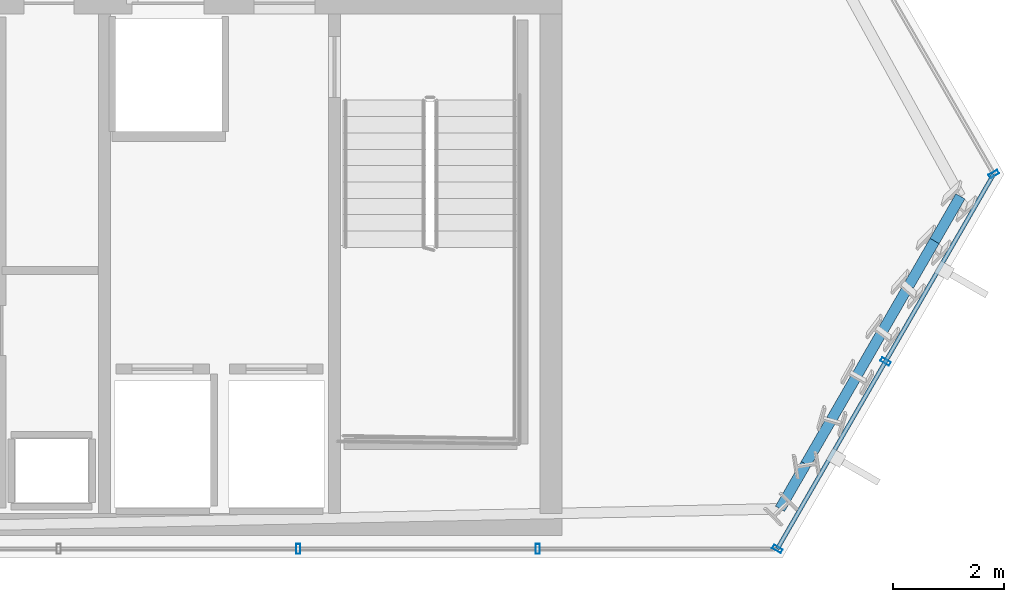
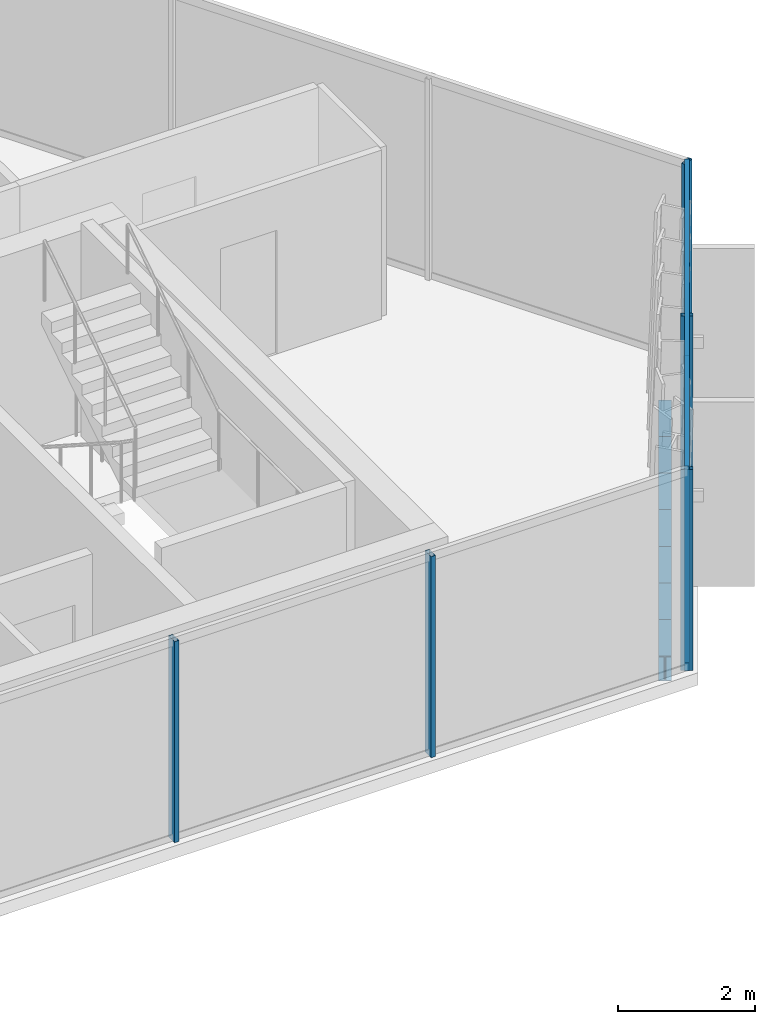
# One storey, part 14 of 30: 7 beams, 7 members, 3 elements without a shape of their own.
"""IFC4 building model written with IfcOpenShell, lengths in metres."""

import ifcopenshell
import ifcopenshell.guid

model = None  # the IFC model being written
_history = None  # IfcOwnerHistory: only IFC2X3 demands one
_inside = {}  # id of a spatial element -> (the spatial element, [elements in it])
_under = {}  # id of a project, library or spatial element -> (it, [spatial elements below it])
_declared = {}  # id of a project -> (the project, [libraries it declares])
_typed = {}  # id of a type object -> (the type object, [elements of that type])
_made_of = {}  # id of a material, layer set ... -> (it, [elements and type objects made of it])


def new_model(schema):
    """Start an empty IFC model of exactly this schema.

    Asked for "IFC4X3", IfcOpenShell would pick the latest addendum, in which some entities
    have other attributes; the version numbers below select the first issue.
    IFC2X3 requires an IfcOwnerHistory on every rooted entity: one is made here for all.
    """
    global model, _history
    if schema == "IFC4X3":
        model = ifcopenshell.file(schema_version=(4, 3, 0, 0))
    else:
        model = ifcopenshell.file(schema=schema)
    _inside.clear()
    _under.clear()
    _declared.clear()
    _typed.clear()
    _made_of.clear()
    _history = None
    if model.schema == "IFC2X3":
        org = make("IfcOrganization", Name="unknown")
        user = make(
            "IfcPersonAndOrganization",
            ThePerson=make("IfcPerson", FamilyName="unknown"),
            TheOrganization=org,
        )
        app = make(
            "IfcApplication",
            ApplicationDeveloper=org,
            Version="unknown",
            ApplicationFullName="unknown",
            ApplicationIdentifier="unknown",
        )
        _history = make(
            "IfcOwnerHistory",
            OwningUser=user,
            OwningApplication=app,
            ChangeAction="ADDED",
            CreationDate=0,
        )
    return model


def make(cls, **values):
    """One entity of the class cls with the attributes given. An attribute that is None is left unset."""
    return model.create_entity(
        cls, **{name: value for name, value in values.items() if value is not None}
    )


def rooted(cls, **values):
    """An entity with a GlobalId (a new one), such as an element, a storey or a relation."""
    return make(cls, GlobalId=ifcopenshell.guid.new(), OwnerHistory=_history, **values)


def si_unit(unit_type, name, prefix=None):
    """IfcSIUnit, for example si_unit("LENGTHUNIT", "METRE", prefix="MILLI")."""
    return make("IfcSIUnit", UnitType=unit_type, Prefix=prefix, Name=name)


def assignment(units):
    """IfcUnitAssignment: the units of a project."""
    return None if units is None else make("IfcUnitAssignment", Units=units)


def point(xyz):
    """IfcCartesianPoint."""
    return None if xyz is None else make("IfcCartesianPoint", Coordinates=xyz)


def direction(xyz):
    """IfcDirection."""
    return None if xyz is None else make("IfcDirection", DirectionRatios=xyz)


def frame(location, z_axis=None, x_axis=None):
    """IfcAxis2Placement3D, a coordinate frame: its origin and axes. An axis left out is left unset."""
    return make(
        "IfcAxis2Placement3D",
        Location=point(location),
        Axis=direction(z_axis),
        RefDirection=direction(x_axis),
    )


def frame_2d(location, x_axis=None):
    """IfcAxis2Placement2D, a coordinate frame in the plane: its origin and x axis."""
    return make(
        "IfcAxis2Placement2D", Location=point(location), RefDirection=direction(x_axis)
    )


def origin():
    """The frame at (0, 0, 0) with its axes left unset."""
    return frame((0.0, 0.0, 0.0))


def origin_2d():
    """The frame at (0, 0) in the plane with its x axis left unset."""
    return frame_2d((0.0, 0.0))


def place(relative_to, where):
    """IfcLocalPlacement: puts the frame where relative to a parent placement (None: the world)."""
    return make(
        "IfcLocalPlacement", PlacementRelTo=relative_to, RelativePlacement=where
    )


def context(
    kind, dimensions, precision=None, world=None, true_north=None, identifier=None
):
    """IfcGeometricRepresentationContext, for example the 3D "Model" context."""
    return make(
        "IfcGeometricRepresentationContext",
        ContextIdentifier=identifier,
        ContextType=kind,
        CoordinateSpaceDimension=dimensions,
        Precision=precision,
        WorldCoordinateSystem=world,
        TrueNorth=true_north,
    )


def subcontext(parent, identifier, kind, view, scale=None):
    """IfcGeometricRepresentationSubContext, for example "Body" below "Model"."""
    return make(
        "IfcGeometricRepresentationSubContext",
        ContextIdentifier=identifier,
        ContextType=kind,
        ParentContext=parent,
        TargetScale=scale,
        TargetView=view,
    )


def project(units=None, contexts=None):
    """IfcProject with its units and contexts."""
    return rooted(
        "IfcProject",
        Name="project",
        RepresentationContexts=contexts,
        UnitsInContext=assignment(units),
    )


def spatial(cls, under=None, at=None, **own):
    """A site, building, storey or space (cls), placed at a placement, below another one or the project."""
    s = rooted(cls, ObjectPlacement=at, **own)
    if under is not None:
        _under.setdefault(under.id(), (under, []))[1].append(s)
    return s


def profile(cls, at=None, kind="AREA", **sizes):
    """A parametric profile (cls). Its sizes go by their IFC names, for example OverallWidth=200.0."""
    return make(cls, ProfileType=kind, Position=at, **sizes)


def hollow_rectangle(**sizes):
    """IfcRectangleHollowProfileDef."""
    return profile("IfcRectangleHollowProfileDef", **sizes)


def i_section(**sizes):
    """IfcIShapeProfileDef."""
    return profile("IfcIShapeProfileDef", **sizes)


def extrude(swept, where, along, depth):
    """IfcExtrudedAreaSolid: the profile swept, set in the frame where, extruded along a direction by depth."""
    return make(
        "IfcExtrudedAreaSolid",
        SweptArea=swept,
        Position=where,
        ExtrudedDirection=direction(along),
        Depth=depth,
    )


def shape(context_of_items, identifier, shape_type, items):
    """IfcShapeRepresentation: the items that make up one representation, for example the "Body"."""
    return make(
        "IfcShapeRepresentation",
        ContextOfItems=context_of_items,
        RepresentationIdentifier=identifier,
        RepresentationType=shape_type,
        Items=items,
    )


def material(Name=None, Category=None):
    """IfcMaterial."""
    return make("IfcMaterial", Name=Name, Category=Category)


def layer(
    of_material, thickness, ventilated=None, Name=None, Category=None, Priority=None
):
    """IfcMaterialLayer: one layer of a wall or slab, of a material (None: an air gap)."""
    return make(
        "IfcMaterialLayer",
        Material=of_material,
        LayerThickness=thickness,
        IsVentilated=ventilated,
        Name=Name,
        Category=Category,
        Priority=Priority,
    )


def layer_set(layers, Name=None):
    """IfcMaterialLayerSet."""
    return make("IfcMaterialLayerSet", MaterialLayers=layers, LayerSetName=Name)


def material_profile(
    of_material, cross_section, Name=None, Category=None, Priority=None
):
    """IfcMaterialProfile: a cross section and its material."""
    return make(
        "IfcMaterialProfile",
        Name=Name,
        Material=of_material,
        Profile=cross_section,
        Priority=Priority,
        Category=Category,
    )


def profile_set(profiles, Name=None, composite=None):
    """IfcMaterialProfileSet."""
    return make(
        "IfcMaterialProfileSet",
        Name=Name,
        MaterialProfiles=profiles,
        CompositeProfile=composite,
    )


def made_of(thing, what):
    """Note that an element or type object is made of a material, layer set ...; save() writes the relation."""
    if what is not None:
        _made_of.setdefault(what.id(), (what, []))[1].append(thing)
    return thing


def type_object(cls, material=None, **own):
    """A type object (cls), such as IfcWallType, which elements share."""
    return made_of(rooted(cls, **own), material)


def element(
    cls,
    number,
    at=None,
    inside=None,
    cuts=None,
    type_object=None,
    material=None,
    context=None,
    identifier="Body",
    shape_type=None,
    held_by="IfcProductDefinitionShape",
    body=None,
    shapes=None,
    **own,
):
    """One element of the class cls, such as IfcWall. Its Tag is "e" and its number.

    at: its placement. inside: the storey or other place that contains it. cuts: it is an
    opening in that element (IfcRelVoidsElement). A single representation is given by context,
    identifier, shape_type and body (its items); several are given by shapes. held_by: the class
    of the entity that holds the representations. save() writes the other relations.
    """
    e = rooted(cls, Tag="e%d" % number, ObjectPlacement=at, **own)
    if body is not None:
        shapes = [shape(context, identifier, shape_type, body)]
    if shapes is not None:
        e.Representation = make(held_by, Representations=shapes)
    if inside is not None:
        _inside.setdefault(inside.id(), (inside, []))[1].append(e)
    if cuts is not None:
        rooted(
            "IfcRelVoidsElement", RelatingBuildingElement=cuts, RelatedOpeningElement=e
        )
    if type_object is not None:
        _typed.setdefault(type_object.id(), (type_object, []))[1].append(e)
    return made_of(e, material)


def aggregate(whole, parts):
    """IfcRelAggregates: a whole, such as a stair, and the parts it consists of."""
    return rooted("IfcRelAggregates", RelatingObject=whole, RelatedObjects=parts)


def save(model, path):
    """Write the relations noted so far, then the file.

    IfcRelAggregates (storeys below a building ...), IfcRelContainedInSpatialStructure (elements
    in a storey), IfcRelDefinesByType, IfcRelAssociatesMaterial and IfcRelDeclares: one each for
    every whole, place, type object, material and project.
    """
    for whole, parts in _under.values():
        aggregate(whole, parts)
    for where, things in _inside.values():
        rooted(
            "IfcRelContainedInSpatialStructure",
            RelatedElements=things,
            RelatingStructure=where,
        )
    for kind, things in _typed.values():
        rooted("IfcRelDefinesByType", RelatedObjects=things, RelatingType=kind)
    for what, things in _made_of.values():
        rooted("IfcRelAssociatesMaterial", RelatedObjects=things, RelatingMaterial=what)
    for by, libraries in _declared.values():
        rooted("IfcRelDeclares", RelatingContext=by, RelatedDefinitions=libraries)
    model.write(path)


model = new_model("IFC4")

# Units and contexts
model_context = context("Model", 3, precision=1e-05, world=origin(), true_north=direction((0.0, 1.0)))
body_context = subcontext(model_context, "Body", "Model", "MODEL_VIEW")
ifc_project = project(units=[si_unit("LENGTHUNIT", "METRE"), si_unit("AREAUNIT", "SQUARE_METRE"), si_unit("VOLUMEUNIT", "CUBIC_METRE"), si_unit("PLANEANGLEUNIT", "RADIAN"), si_unit("MASSUNIT", "GRAM", prefix="KILO")], contexts=[model_context])

# Site, building, storey
site_placement = place(None, origin())
site = spatial("IfcSite", under=ifc_project, at=site_placement, CompositionType="ELEMENT")
building_placement = place(site_placement, origin())
building = spatial("IfcBuilding", under=site, at=building_placement, Name="Ndaravel Arena Tower", CompositionType="ELEMENT")
storey_placement = place(building_placement, frame((0.0, 0.0, 225.60009765625)))
storey = spatial("IfcBuildingStorey", under=building, at=storey_placement, Name="L54", CompositionType="ELEMENT", Elevation=225.60009765625)

# Beams
ifc_material_1 = material(Name="Steel S355", Category="steel")
ifc_material_profile_1 = material_profile(ifc_material_1, i_section(OverallWidth=0.18994140625, OverallDepth=0.449951171875, WebThickness=0.009521484375, FlangeThickness=0.0146484375, FilletRadius=0.02099609375, at=origin_2d()), Name="IPE 450")
ifc_profile_set_1 = profile_set([ifc_material_profile_1], Name="Steel S355")
beam_type = type_object("IfcBeamType", Name="BM-SPAN-IPE450", PredefinedType="SPANDREL", material=ifc_profile_set_1)
beam_1_placement = place(storey_placement, frame((61.48095703125, 5.88232421875, -0.445068359375), z_axis=(0.499896791762, 0.866084982889, 0.0), x_axis=(-0.866084982889, 0.499896791762, 0.0)))
element("IfcBeam", 1, at=beam_1_placement, inside=storey, type_object=beam_type, Name="L54 Perimeter Spandrel Beam SP-02", PredefinedType="SPANDREL", context=body_context, shape_type="SweptSolid", body=[
    extrude(i_section(OverallWidth=0.18994140625, OverallDepth=0.449951171875, WebThickness=0.009521484375, FlangeThickness=0.0146484375, FilletRadius=0.02099609375, at=origin_2d()), origin(), (0.0, 0.0, 1.0), 0.929443359375),
])
for number, where, z_axis, x_axis, name in (
    (2, (61.945556640625, 6.687255859375, -0.445068359375), (0.500010545262, 0.866019315389, 0.0), (-0.866019315389, 0.500010545262, 0.0), "L54 Perimeter Spandrel Beam SP-03"),
    (3, (62.41015625, 7.491943359375, -0.445068359375), (0.500010545262, 0.866019315389, 0.0), (-0.866019315389, 0.500010545262, 0.0), "L54 Perimeter Spandrel Beam SP-04"),
):
    element("IfcBeam", number, at=place(storey_placement, frame(where, z_axis=z_axis, x_axis=x_axis)), inside=storey, type_object=beam_type, Name=name, PredefinedType="SPANDREL", context=body_context, shape_type="SweptSolid", body=[
        extrude(i_section(OverallWidth=0.18994140625, OverallDepth=0.449951171875, WebThickness=0.009521484375, FlangeThickness=0.0146484375, FilletRadius=0.02099609375, at=origin_2d()), origin(), (0.0, 0.0, 1.0), 0.92919921875),
    ])
beam_2_placement = place(storey_placement, frame((62.874755859375, 8.296630859375, -0.445068359375), z_axis=(0.499896791762, 0.866084982889, 0.0), x_axis=(-0.866084982889, 0.499896791762, 0.0)))
element("IfcBeam", 4, at=beam_2_placement, inside=storey, type_object=beam_type, Name="L54 Perimeter Spandrel Beam SP-05", PredefinedType="SPANDREL", context=body_context, shape_type="SweptSolid", body=[
    extrude(i_section(OverallWidth=0.18994140625, OverallDepth=0.449951171875, WebThickness=0.009521484375, FlangeThickness=0.0146484375, FilletRadius=0.02099609375, at=origin_2d()), origin(), (0.0, 0.0, 1.0), 0.929443359375),
])
for number, where, z_axis, x_axis, name in (
    (5, (63.33935546875, 9.1015625, -0.445068359375), (0.500010545262, 0.866019315389, 0.0), (-0.866019315389, 0.500010545262, 0.0), "L54 Perimeter Spandrel Beam SP-06"),
    (6, (63.803955078125, 9.90625, -0.445068359375), (0.500207565094, 0.865905532852, 0.0), (-0.865905532852, 0.500207565094, 0.0), "L54 Perimeter Spandrel Beam SP-07"),
):
    element("IfcBeam", number, at=place(storey_placement, frame(where, z_axis=z_axis, x_axis=x_axis)), inside=storey, type_object=beam_type, Name=name, PredefinedType="SPANDREL", context=body_context, shape_type="SweptSolid", body=[
        extrude(i_section(OverallWidth=0.18994140625, OverallDepth=0.449951171875, WebThickness=0.009521484375, FlangeThickness=0.0146484375, FilletRadius=0.02099609375, at=origin_2d()), origin(), (0.0, 0.0, 1.0), 0.92919921875),
    ])
beam_3_placement = place(storey_placement, frame((64.268798828125, 10.7109375, -0.445068359375), z_axis=(0.499896791762, 0.866084982889, 0.0), x_axis=(-0.866084982889, 0.499896791762, 0.0)))
element("IfcBeam", 7, at=beam_3_placement, inside=storey, type_object=beam_type, Name="L54 Perimeter Spandrel Beam SP-08", PredefinedType="SPANDREL", context=body_context, shape_type="SweptSolid", body=[
    extrude(i_section(OverallWidth=0.18994140625, OverallDepth=0.449951171875, WebThickness=0.009521484375, FlangeThickness=0.0146484375, FilletRadius=0.02099609375, at=origin_2d()), origin(), (0.0, 0.0, 1.0), 0.929443359375),
])

# Curtain wall, members
ifc_material_2 = material(Name="Aluminium", Category="aluminium")
ifc_layer_1 = layer(ifc_material_2, 0.179931640625)
ifc_layer_set_1 = layer_set([ifc_layer_1], Name="Aluminium")
curtain_wall_type_1 = type_object("IfcCurtainWallType", Name="CW-SYS-03", PredefinedType="NOTDEFINED", material=ifc_layer_set_1)
curtain_wall_1_placement = place(storey_placement, origin())
curtain_wall_1 = element("IfcCurtainWall", 8, at=curtain_wall_1_placement, inside=storey, type_object=curtain_wall_type_1, Name="L54 Faceted Crystal Curtain Wall CW-L54-E01", PredefinedType="NOTDEFINED")
ifc_material_3 = material(Name="Aluminium", Category="aluminium")
ifc_material_profile_2 = material_profile(ifc_material_3, hollow_rectangle(XDim=0.074951171875, YDim=0.179931640625, WallThickness=0.00390625, at=origin_2d()), Name="CW MULLION 75x180x4")
ifc_profile_set_2 = profile_set([ifc_material_profile_2], Name="Aluminium")
member_type_1 = type_object("IfcMemberType", Name="MEM-CW-MUL180", PredefinedType="MULLION", material=ifc_profile_set_2)
member_1_placement = place(storey_placement, frame((52.79638671875, 5.159912109375, 0.0), z_axis=(0.0, 0.0, 1.0), x_axis=(1.0, 0.0, 0.0)))
member_1 = element("IfcMember", 9, at=member_1_placement, type_object=member_type_1, Name="CW-L54-E01 Mullion 07", PredefinedType="MULLION", context=body_context, shape_type="SweptSolid", body=[
    extrude(hollow_rectangle(XDim=0.074951171875, YDim=0.179931640625, WallThickness=0.00390625, at=origin_2d()), origin(), (0.0, 0.0, 1.0), 3.579833984375),
])
member_2_placement = place(storey_placement, frame((57.11474609375, 5.159912109375, 0.0), z_axis=(0.0, 0.0, 1.0), x_axis=(1.0, 0.0, 0.0)))
member_2 = element("IfcMember", 10, at=member_2_placement, type_object=member_type_1, Name="CW-L54-E01 Mullion 08", PredefinedType="MULLION", context=body_context, shape_type="SweptSolid", body=[
    extrude(hollow_rectangle(XDim=0.074951171875, YDim=0.179931640625, WallThickness=0.00390625, at=origin_2d()), origin(), (0.0, 0.0, 1.0), 3.579833984375),
])
aggregate(curtain_wall_1, [member_1, member_2])

ifc_material_4 = material(Name="Aluminium", Category="aluminium")
ifc_layer_2 = layer(ifc_material_4, 0.179931640625)
ifc_layer_set_2 = layer_set([ifc_layer_2], Name="Aluminium")
curtain_wall_type_2 = type_object("IfcCurtainWallType", Name="CW-SYS-01", PredefinedType="NOTDEFINED", material=ifc_layer_set_2)
curtain_wall_2_placement = place(storey_placement, origin())
curtain_wall_2 = element("IfcCurtainWall", 11, at=curtain_wall_2_placement, inside=storey, type_object=curtain_wall_type_2, Name="L54 Faceted Crystal Curtain Wall CW-L54-E02", PredefinedType="NOTDEFINED")
member_3_placement = place(storey_placement, frame((61.433349609375, 5.159912109375, 0.0), z_axis=(0.0, 0.0, 1.0), x_axis=(0.5, 0.866025403784, 0.0)))
member_3 = element("IfcMember", 12, at=member_3_placement, type_object=member_type_1, Name="CW-L54-E02 Mullion 00", PredefinedType="MULLION", context=body_context, shape_type="SweptSolid", body=[
    extrude(hollow_rectangle(XDim=0.074951171875, YDim=0.179931640625, WallThickness=0.00390625, at=origin_2d()), origin(), (0.0, 0.0, 1.0), 3.579833984375),
])
member_4_placement = place(storey_placement, frame((63.38427734375, 8.5390625, 0.0), z_axis=(0.0, 0.0, 1.0), x_axis=(0.5, 0.866025403784, 0.0)))
member_4 = element("IfcMember", 13, at=member_4_placement, type_object=member_type_1, Name="CW-L54-E02 Mullion 01", PredefinedType="MULLION", context=body_context, shape_type="SweptSolid", body=[
    extrude(hollow_rectangle(XDim=0.074951171875, YDim=0.179931640625, WallThickness=0.00390625, at=origin_2d()), origin(), (0.0, 0.0, 1.0), 3.579833984375),
])

# Curtain wall, member
curtain_wall_3_placement = place(storey_placement, origin())
curtain_wall_3 = element("IfcCurtainWall", 14, at=curtain_wall_3_placement, inside=storey, type_object=curtain_wall_type_1, Name="L54 Faceted Crystal Curtain Wall CW-L54-E03", PredefinedType="NOTDEFINED")
member_5_placement = place(storey_placement, frame((65.335205078125, 11.918212890625, 0.0), z_axis=(0.0, 0.0, 1.0), x_axis=(-0.5, 0.866025403784, 0.0)))
member_5 = element("IfcMember", 15, at=member_5_placement, type_object=member_type_1, Name="CW-L54-E03 Mullion 00", PredefinedType="MULLION", context=body_context, shape_type="SweptSolid", body=[
    extrude(hollow_rectangle(XDim=0.074951171875, YDim=0.179931640625, WallThickness=0.00390625, at=origin_2d()), origin(), (0.0, 0.0, 1.0), 3.579833984375),
])
aggregate(curtain_wall_3, [member_5])

# Member
ifc_material_5 = material(Name="Aluminium", Category="aluminium")
ifc_material_profile_3 = material_profile(ifc_material_5, hollow_rectangle(XDim=0.074951171875, YDim=0.14990234375, WallThickness=0.00390625, at=origin_2d()), Name="CW TRANSOM 75x150x4")
ifc_profile_set_3 = profile_set([ifc_material_profile_3], Name="Aluminium")
member_type_2 = type_object("IfcMemberType", Name="MEM-CW-TRN150", PredefinedType="USERDEFINED", material=ifc_profile_set_3)
member_6_placement = place(storey_placement, frame((61.433349609375, 5.159912109375, 0.039794921875), z_axis=(0.499995069063, 0.866028250644, 0.0), x_axis=(-0.866028250644, 0.499995069063, 0.0)))
member_6 = element("IfcMember", 16, at=member_6_placement, type_object=member_type_2, Name="CW-L54-E02 Transom 01", ObjectType="TRANSOM", PredefinedType="USERDEFINED", context=body_context, shape_type="SweptSolid", body=[
    extrude(hollow_rectangle(XDim=0.074951171875, YDim=0.14990234375, WallThickness=0.00390625, at=origin_2d()), origin(), (0.0, 0.0, 1.0), 7.8037109375),
])

member_7_placement = place(storey_placement, frame((61.433349609375, 5.159912109375, 3.539794921875), z_axis=(0.499995069063, 0.866028250644, 0.0), x_axis=(-0.866028250644, 0.499995069063, 0.0)))
member_7 = element("IfcMember", 17, at=member_7_placement, type_object=member_type_2, Name="CW-L54-E02 Transom 02", ObjectType="TRANSOM", PredefinedType="USERDEFINED", context=body_context, shape_type="SweptSolid", body=[
    extrude(hollow_rectangle(XDim=0.074951171875, YDim=0.14990234375, WallThickness=0.00390625, at=origin_2d()), origin(), (0.0, 0.0, 1.0), 7.8037109375),
])

aggregate(curtain_wall_2, [member_3, member_4, member_6, member_7])

save(model, "model.ifc")
